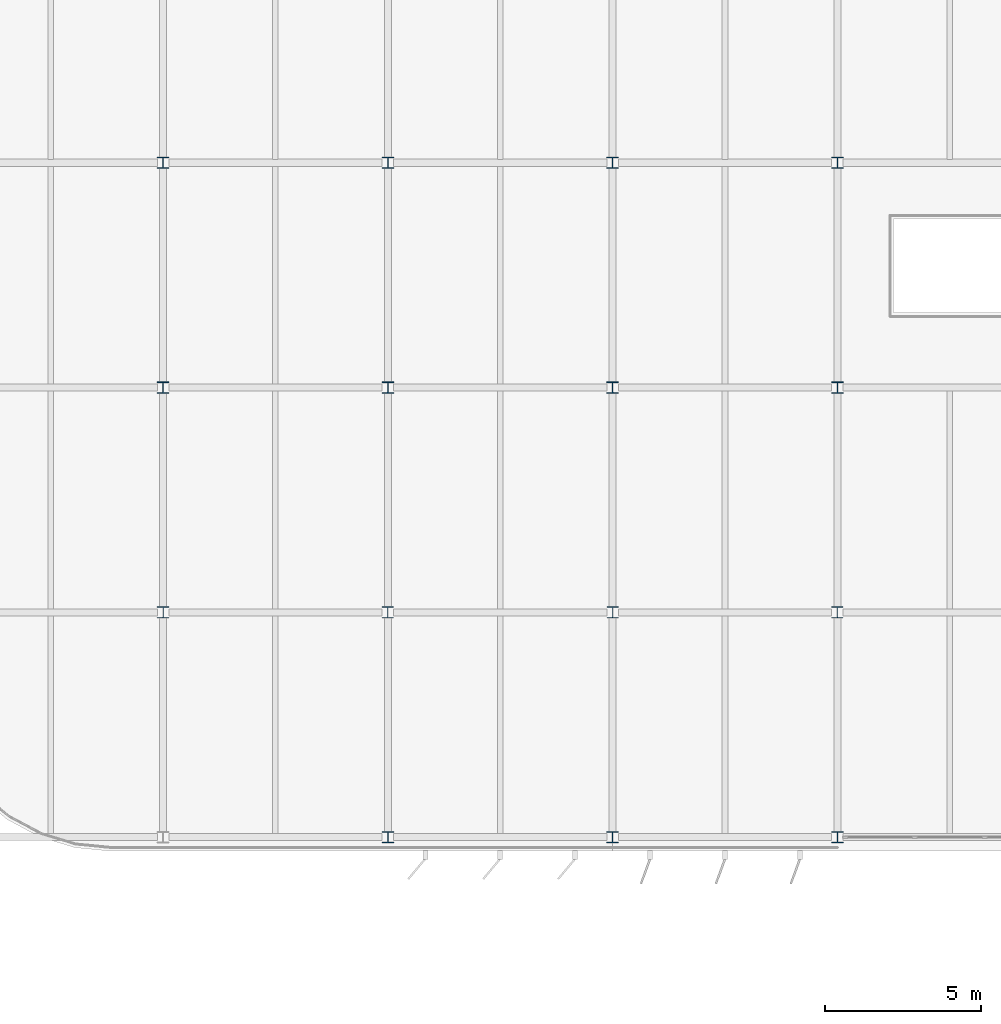
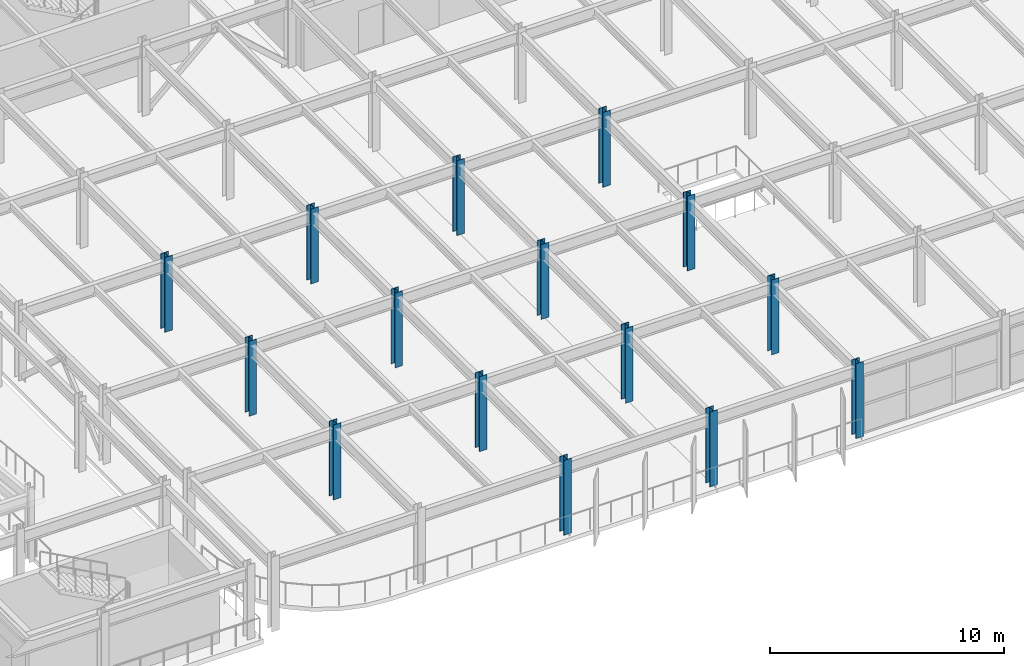
# One storey, part 2 of 52: 15 columns.
"""IFC4 building model written with IfcOpenShell, lengths in metres."""

from ifc_helpers import new_model, si_unit, direction, frame, origin, origin_2d, place, context, subcontext, project, spatial, i_section, extrude, material, material_profile, profile_set, type_object, element, save


model = new_model("IFC4")

# Units and contexts
model_context = context("Model", 3, precision=1e-05, world=origin(), true_north=direction((0.0, 1.0)))
body_context = subcontext(model_context, "Body", "Model", "MODEL_VIEW")
ifc_project = project(units=[si_unit("LENGTHUNIT", "METRE"), si_unit("AREAUNIT", "SQUARE_METRE"), si_unit("VOLUMEUNIT", "CUBIC_METRE"), si_unit("PLANEANGLEUNIT", "RADIAN"), si_unit("MASSUNIT", "GRAM", prefix="KILO")], contexts=[model_context])

# Site, building, storey
site_placement = place(None, origin())
site = spatial("IfcSite", under=ifc_project, at=site_placement, CompositionType="ELEMENT")
building_placement = place(site_placement, origin())
building = spatial("IfcBuilding", under=site, at=building_placement, Name="Vaelcorin Mobility Hub", CompositionType="ELEMENT")
storey_placement = place(building_placement, frame((0.0, 0.0, 13.199951171875)))
storey = spatial("IfcBuildingStorey", under=building, at=storey_placement, Name="L03", CompositionType="ELEMENT", Elevation=13.199951171875)

# Columns
ifc_material = material(Name="Steel ASTM A992 Grade 50", Category="steel")
ifc_material_profile_1 = material_profile(ifc_material, i_section(OverallWidth=0.37109375, OverallDepth=0.363037109375, WebThickness=0.01318359375, FlangeThickness=0.021728515625, FilletRadius=0.014892578125, at=origin_2d()), Name="W14X109")
ifc_profile_set_1 = profile_set([ifc_material_profile_1], Name="Steel ASTM A992 Grade 50")
column_type_1 = type_object("IfcColumnType", Name="COL-W14X109", PredefinedType="COLUMN", material=ifc_profile_set_1)
for number, where, z_axis, x_axis, name in (
    (1, (43.199951171875, 91.199951171875, 0.0), (0.0, 0.0, 1.0), (1.0, 0.0, 0.0), "Column V4-X02Y03 L03"),
    (2, (43.199951171875, 98.39990234375, 0.0), (0.0, 0.0, 1.0), (1.0, 0.0, 0.0), "Column V4-X02Y04 L03"),
    (3, (50.39990234375, 76.800048828125, 0.0), (0.0, 0.0, 1.0), (1.0, 0.0, 0.0), "Column V4-X03Y01 L03"),
    (4, (50.39990234375, 91.199951171875, 0.0), (0.0, 0.0, 1.0), (1.0, 0.0, 0.0), "Column V4-X03Y03 L03"),
    (5, (50.39990234375, 98.39990234375, 0.0), (0.0, 0.0, 1.0), (1.0, 0.0, 0.0), "Column V4-X03Y04 L03"),
    (6, (57.60009765625, 76.800048828125, 0.0), (0.0, 0.0, 1.0), (1.0, 0.0, 0.0), "Column V4-X04Y01 L03"),
    (7, (57.60009765625, 91.199951171875, 0.0), (0.0, 0.0, 1.0), (1.0, 0.0, 0.0), "Column V4-X04Y03 L03"),
    (8, (57.60009765625, 98.39990234375, 0.0), (0.0, 0.0, 1.0), (1.0, 0.0, 0.0), "Column V4-X04Y04 L03"),
    (9, (64.800048828125, 76.800048828125, 0.0), (0.0, 0.0, 1.0), (1.0, 0.0, 0.0), "Column V4-X05Y01 L03"),
    (10, (64.800048828125, 91.199951171875, 0.0), (0.0, 0.0, 1.0), (1.0, 0.0, 0.0), "Column V4-X05Y03 L03"),
    (11, (64.800048828125, 98.39990234375, 0.0), (0.0, 0.0, 1.0), (1.0, 0.0, 0.0), "Column V4-X05Y04 L03"),
):
    element("IfcColumn", number, at=place(storey_placement, frame(where, z_axis=z_axis, x_axis=x_axis)), inside=storey, type_object=column_type_1, Name=name, PredefinedType="COLUMN", context=body_context, shape_type="SweptSolid", body=[
        extrude(i_section(OverallWidth=0.37109375, OverallDepth=0.363037109375, WebThickness=0.01318359375, FlangeThickness=0.021728515625, FilletRadius=0.014892578125, at=origin_2d()), origin(), (0.0, 0.0, 1.0), 3.900146484375),
    ])
ifc_material_profile_2 = material_profile(ifc_material, i_section(OverallWidth=0.373046875, OverallDepth=0.373046875, WebThickness=0.016357421875, FlangeThickness=0.026123046875, FilletRadius=0.014892578125, at=origin_2d()), Name="W14X132")
ifc_profile_set_2 = profile_set([ifc_material_profile_2], Name="Steel ASTM A992 Grade 50")
column_type_2 = type_object("IfcColumnType", Name="COL-W14X132", PredefinedType="COLUMN", material=ifc_profile_set_2)
for number, where, z_axis, x_axis, name in (
    (12, (43.199951171875, 84.0, 0.0), (0.0, 0.0, 1.0), (1.0, 0.0, 0.0), "Column V4-X02Y02 L03"),
    (13, (50.39990234375, 84.0, 0.0), (0.0, 0.0, 1.0), (1.0, 0.0, 0.0), "Column V4-X03Y02 L03"),
    (14, (57.60009765625, 84.0, 0.0), (0.0, 0.0, 1.0), (1.0, 0.0, 0.0), "Column V4-X04Y02 L03"),
    (15, (64.800048828125, 84.0, 0.0), (0.0, 0.0, 1.0), (1.0, 0.0, 0.0), "Column V4-X05Y02 L03"),
):
    element("IfcColumn", number, at=place(storey_placement, frame(where, z_axis=z_axis, x_axis=x_axis)), inside=storey, type_object=column_type_2, Name=name, PredefinedType="COLUMN", context=body_context, shape_type="SweptSolid", body=[
        extrude(i_section(OverallWidth=0.373046875, OverallDepth=0.373046875, WebThickness=0.016357421875, FlangeThickness=0.026123046875, FilletRadius=0.014892578125, at=origin_2d()), origin(), (0.0, 0.0, 1.0), 3.900146484375),
    ])

save(model, "model.ifc")
